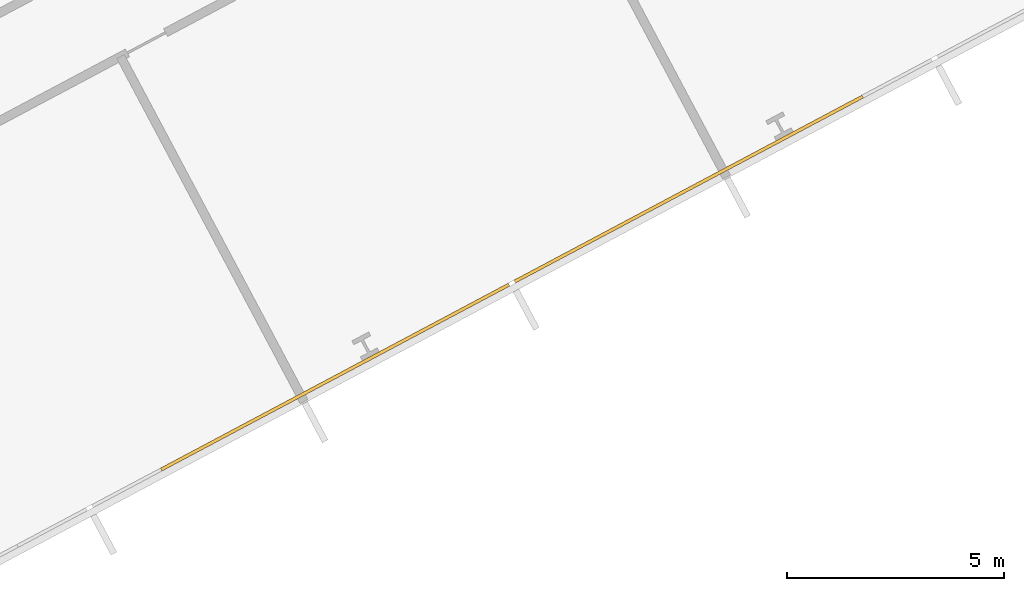
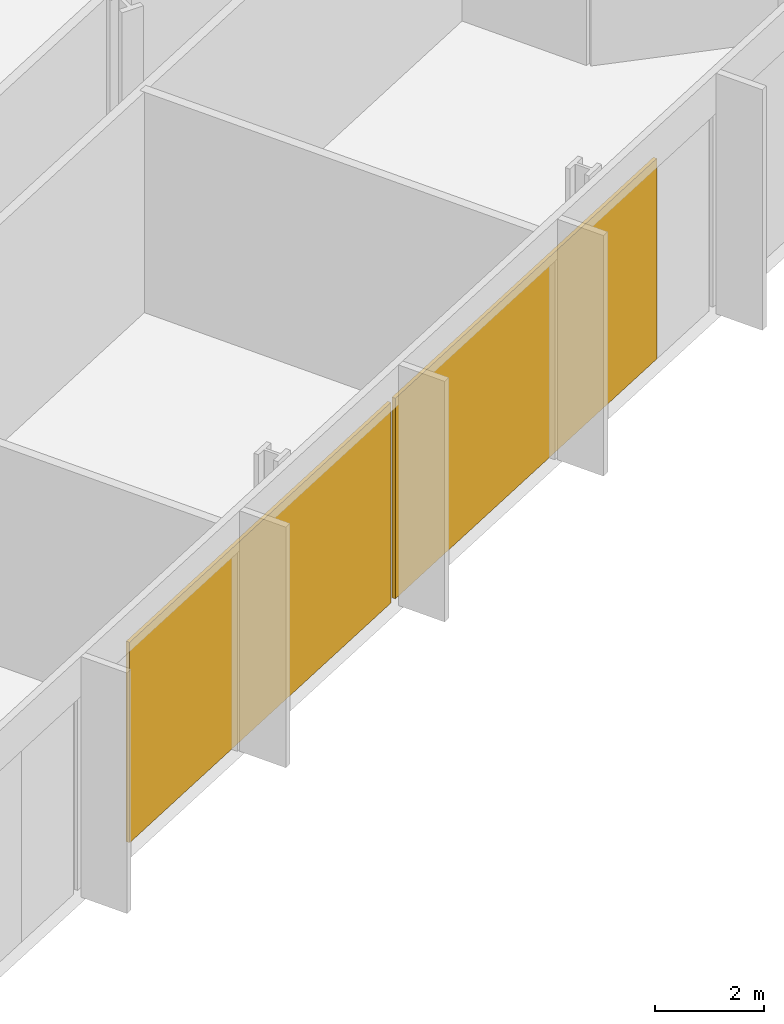
# One storey, part 28 of 31: 2 coverings, 1 element without a shape of its own.
"""IFC4 building model written with IfcOpenShell, lengths in metres."""

from ifc_helpers import new_model, si_unit, direction, frame, origin, origin_2d, place, context, subcontext, project, spatial, rectangle, extrude, material, layer, layer_set, type_object, element, aggregate, save


model = new_model("IFC4")

# Units and contexts
model_context = context("Model", 3, precision=1e-05, world=origin(), true_north=direction((0.0, 1.0)))
body_context = subcontext(model_context, "Body", "Model", "MODEL_VIEW")
ifc_project = project(units=[si_unit("LENGTHUNIT", "METRE"), si_unit("AREAUNIT", "SQUARE_METRE"), si_unit("VOLUMEUNIT", "CUBIC_METRE"), si_unit("PLANEANGLEUNIT", "RADIAN"), si_unit("MASSUNIT", "GRAM", prefix="KILO")], contexts=[model_context])

# Site, building, storey
site_placement = place(None, origin())
site = spatial("IfcSite", under=ifc_project, at=site_placement, CompositionType="ELEMENT")
building_placement = place(site_placement, origin())
building = spatial("IfcBuilding", under=site, at=building_placement, Name="Cormorant Relay Tower", CompositionType="ELEMENT")
storey_placement = place(building_placement, frame((0.0, 0.0, 33.800048828125)))
storey = spatial("IfcBuildingStorey", under=building, at=storey_placement, Name="L06", CompositionType="ELEMENT", Elevation=33.800048828125)

# Curtain wall, coverings
ifc_material_1 = material(Name="Aluminium 6063-T6 anodised bronze", Category="aluminium")
ifc_layer_1 = layer(ifc_material_1, 0.235107421875)
ifc_layer_set_1 = layer_set([ifc_layer_1], Name="CW6 data hall curtain wall with mineral wool panels")
curtain_wall_type = type_object("IfcCurtainWallType", Name="CW6 data hall curtain wall with mineral wool panels", PredefinedType="NOTDEFINED", material=ifc_layer_set_1)
curtain_wall_placement = place(storey_placement, origin())
curtain_wall = element("IfcCurtainWall", 1, at=curtain_wall_placement, inside=storey, type_object=curtain_wall_type, Name="CW6 curtain wall 2", PredefinedType="NOTDEFINED")
ifc_material_2 = material(Name="Mineral wool cored anodised bronze aluminium cassette panel", Category="aluminium")
ifc_layer_2 = layer(ifc_material_2, 0.074951171875)
ifc_layer_set_2 = layer_set([ifc_layer_2], Name="CW6 mineral wool cassette panel 75")
covering_type = type_object("IfcCoveringType", Name="CW6 mineral wool cassette panel 75", PredefinedType="CLADDING", material=ifc_layer_set_2)
covering_1_placement = place(storey_placement, frame((52.127685546875, 3.890380859375, 0.0), z_axis=(0.0, 0.0, 1.0), x_axis=(0.882947592859, 0.469471562786, 0.0)))
covering_1 = element("IfcCovering", 2, at=covering_1_placement, type_object=covering_type, Name="CW6 panel S10", PredefinedType="CLADDING", context=body_context, shape_type="SweptSolid", body=[
    extrude(rectangle(XDim=9.07373046875, YDim=0.074951171875, at=origin_2d()), origin(), (0.0, 0.0, 1.0), 4.5),
])
covering_2_placement = place(storey_placement, frame((60.27197265625, 8.220703125, 0.0), z_axis=(0.0, 0.0, 1.0), x_axis=(0.882947592859, 0.469471562786, 0.0)))
covering_2 = element("IfcCovering", 3, at=covering_2_placement, type_object=covering_type, Name="CW6 panel S11", PredefinedType="CLADDING", context=body_context, shape_type="SweptSolid", body=[
    extrude(rectangle(XDim=9.07373046875, YDim=0.074951171875, at=origin_2d()), origin(), (0.0, 0.0, 1.0), 4.5),
])
aggregate(curtain_wall, [covering_1, covering_2])

save(model, "model.ifc")
